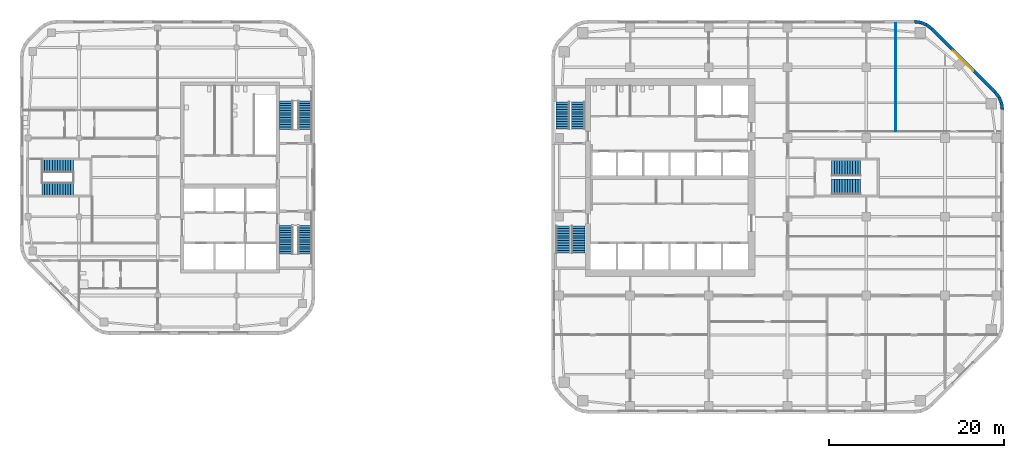
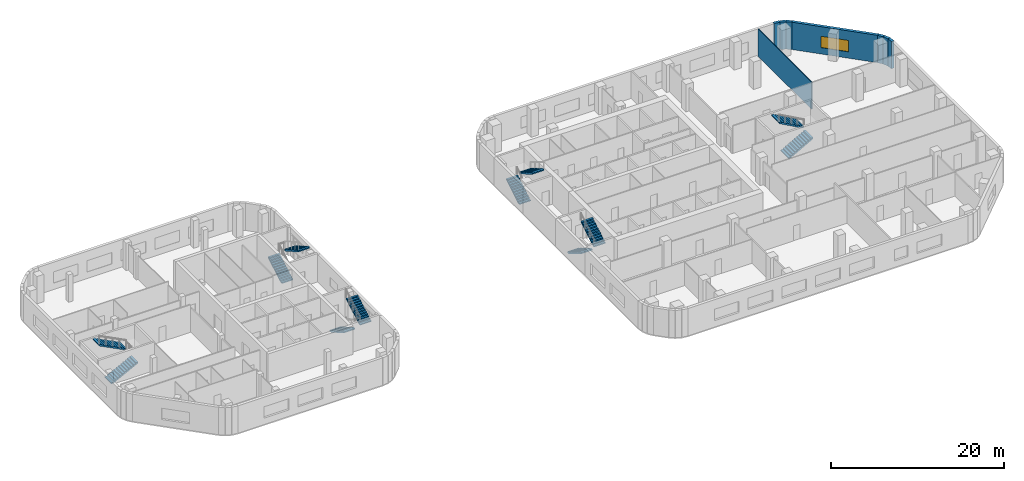
# One storey, part 11 of 14: 12 stair flights, 8 walls, 1 window, 1 opening, 6 elements without a shape of their own.
"""IFC4 building model written with IfcOpenShell, lengths in metres."""

import ifcopenshell
import ifcopenshell.guid

model = None  # the IFC model being written
_history = None  # IfcOwnerHistory: only IFC2X3 demands one
_inside = {}  # id of a spatial element -> (the spatial element, [elements in it])
_under = {}  # id of a project, library or spatial element -> (it, [spatial elements below it])
_declared = {}  # id of a project -> (the project, [libraries it declares])
_typed = {}  # id of a type object -> (the type object, [elements of that type])
_made_of = {}  # id of a material, layer set ... -> (it, [elements and type objects made of it])


def new_model(schema):
    """Start an empty IFC model of exactly this schema.

    Asked for "IFC4X3", IfcOpenShell would pick the latest addendum, in which some entities
    have other attributes; the version numbers below select the first issue.
    IFC2X3 requires an IfcOwnerHistory on every rooted entity: one is made here for all.
    """
    global model, _history
    if schema == "IFC4X3":
        model = ifcopenshell.file(schema_version=(4, 3, 0, 0))
    else:
        model = ifcopenshell.file(schema=schema)
    _inside.clear()
    _under.clear()
    _declared.clear()
    _typed.clear()
    _made_of.clear()
    _history = None
    if model.schema == "IFC2X3":
        org = make("IfcOrganization", Name="unknown")
        user = make(
            "IfcPersonAndOrganization",
            ThePerson=make("IfcPerson", FamilyName="unknown"),
            TheOrganization=org,
        )
        app = make(
            "IfcApplication",
            ApplicationDeveloper=org,
            Version="unknown",
            ApplicationFullName="unknown",
            ApplicationIdentifier="unknown",
        )
        _history = make(
            "IfcOwnerHistory",
            OwningUser=user,
            OwningApplication=app,
            ChangeAction="ADDED",
            CreationDate=0,
        )
    return model


def make(cls, **values):
    """One entity of the class cls with the attributes given. An attribute that is None is left unset."""
    return model.create_entity(
        cls, **{name: value for name, value in values.items() if value is not None}
    )


def rooted(cls, **values):
    """An entity with a GlobalId (a new one), such as an element, a storey or a relation."""
    return make(cls, GlobalId=ifcopenshell.guid.new(), OwnerHistory=_history, **values)


def si_unit(unit_type, name, prefix=None):
    """IfcSIUnit, for example si_unit("LENGTHUNIT", "METRE", prefix="MILLI")."""
    return make("IfcSIUnit", UnitType=unit_type, Prefix=prefix, Name=name)


def assignment(units):
    """IfcUnitAssignment: the units of a project."""
    return None if units is None else make("IfcUnitAssignment", Units=units)


def point(xyz):
    """IfcCartesianPoint."""
    return None if xyz is None else make("IfcCartesianPoint", Coordinates=xyz)


def direction(xyz):
    """IfcDirection."""
    return None if xyz is None else make("IfcDirection", DirectionRatios=xyz)


def frame(location, z_axis=None, x_axis=None):
    """IfcAxis2Placement3D, a coordinate frame: its origin and axes. An axis left out is left unset."""
    return make(
        "IfcAxis2Placement3D",
        Location=point(location),
        Axis=direction(z_axis),
        RefDirection=direction(x_axis),
    )


def frame_2d(location, x_axis=None):
    """IfcAxis2Placement2D, a coordinate frame in the plane: its origin and x axis."""
    return make(
        "IfcAxis2Placement2D", Location=point(location), RefDirection=direction(x_axis)
    )


def origin():
    """The frame at (0, 0, 0) with its axes left unset."""
    return frame((0.0, 0.0, 0.0))


def place(relative_to, where):
    """IfcLocalPlacement: puts the frame where relative to a parent placement (None: the world)."""
    return make(
        "IfcLocalPlacement", PlacementRelTo=relative_to, RelativePlacement=where
    )


def context(
    kind, dimensions, precision=None, world=None, true_north=None, identifier=None
):
    """IfcGeometricRepresentationContext, for example the 3D "Model" context."""
    return make(
        "IfcGeometricRepresentationContext",
        ContextIdentifier=identifier,
        ContextType=kind,
        CoordinateSpaceDimension=dimensions,
        Precision=precision,
        WorldCoordinateSystem=world,
        TrueNorth=true_north,
    )


def subcontext(parent, identifier, kind, view, scale=None):
    """IfcGeometricRepresentationSubContext, for example "Body" below "Model"."""
    return make(
        "IfcGeometricRepresentationSubContext",
        ContextIdentifier=identifier,
        ContextType=kind,
        ParentContext=parent,
        TargetScale=scale,
        TargetView=view,
    )


def project(units=None, contexts=None):
    """IfcProject with its units and contexts."""
    return rooted(
        "IfcProject",
        Name="project",
        RepresentationContexts=contexts,
        UnitsInContext=assignment(units),
    )


def spatial(cls, under=None, at=None, **own):
    """A site, building, storey or space (cls), placed at a placement, below another one or the project."""
    s = rooted(cls, ObjectPlacement=at, **own)
    if under is not None:
        _under.setdefault(under.id(), (under, []))[1].append(s)
    return s


def polyline(points):
    """IfcPolyline through the points."""
    return make("IfcPolyline", Points=[point(p) for p in points])


def profile(cls, at=None, kind="AREA", **sizes):
    """A parametric profile (cls). Its sizes go by their IFC names, for example OverallWidth=200.0."""
    return make(cls, ProfileType=kind, Position=at, **sizes)


def rectangle(**sizes):
    """IfcRectangleProfileDef."""
    return profile("IfcRectangleProfileDef", **sizes)


def outline(outer, holes=None, kind="AREA"):
    """IfcArbitraryClosedProfileDef: a profile drawn as a closed curve; with holes, ...WithVoids."""
    if holes is None:
        return make("IfcArbitraryClosedProfileDef", ProfileType=kind, OuterCurve=outer)
    return make(
        "IfcArbitraryProfileDefWithVoids",
        ProfileType=kind,
        OuterCurve=outer,
        InnerCurves=holes,
    )


def extrude(swept, where, along, depth):
    """IfcExtrudedAreaSolid: the profile swept, set in the frame where, extruded along a direction by depth."""
    return make(
        "IfcExtrudedAreaSolid",
        SweptArea=swept,
        Position=where,
        ExtrudedDirection=direction(along),
        Depth=depth,
    )


def shape(context_of_items, identifier, shape_type, items):
    """IfcShapeRepresentation: the items that make up one representation, for example the "Body"."""
    return make(
        "IfcShapeRepresentation",
        ContextOfItems=context_of_items,
        RepresentationIdentifier=identifier,
        RepresentationType=shape_type,
        Items=items,
    )


def material(Name=None, Category=None):
    """IfcMaterial."""
    return make("IfcMaterial", Name=Name, Category=Category)


def layer(
    of_material, thickness, ventilated=None, Name=None, Category=None, Priority=None
):
    """IfcMaterialLayer: one layer of a wall or slab, of a material (None: an air gap)."""
    return make(
        "IfcMaterialLayer",
        Material=of_material,
        LayerThickness=thickness,
        IsVentilated=ventilated,
        Name=Name,
        Category=Category,
        Priority=Priority,
    )


def layer_set(layers, Name=None):
    """IfcMaterialLayerSet."""
    return make("IfcMaterialLayerSet", MaterialLayers=layers, LayerSetName=Name)


def made_of(thing, what):
    """Note that an element or type object is made of a material, layer set ...; save() writes the relation."""
    if what is not None:
        _made_of.setdefault(what.id(), (what, []))[1].append(thing)
    return thing


def type_object(cls, material=None, **own):
    """A type object (cls), such as IfcWallType, which elements share."""
    return made_of(rooted(cls, **own), material)


def element(
    cls,
    number,
    at=None,
    inside=None,
    cuts=None,
    type_object=None,
    material=None,
    context=None,
    identifier="Body",
    shape_type=None,
    held_by="IfcProductDefinitionShape",
    body=None,
    shapes=None,
    **own,
):
    """One element of the class cls, such as IfcWall. Its Tag is "e" and its number.

    at: its placement. inside: the storey or other place that contains it. cuts: it is an
    opening in that element (IfcRelVoidsElement). A single representation is given by context,
    identifier, shape_type and body (its items); several are given by shapes. held_by: the class
    of the entity that holds the representations. save() writes the other relations.
    """
    e = rooted(cls, Tag="e%d" % number, ObjectPlacement=at, **own)
    if body is not None:
        shapes = [shape(context, identifier, shape_type, body)]
    if shapes is not None:
        e.Representation = make(held_by, Representations=shapes)
    if inside is not None:
        _inside.setdefault(inside.id(), (inside, []))[1].append(e)
    if cuts is not None:
        rooted(
            "IfcRelVoidsElement", RelatingBuildingElement=cuts, RelatedOpeningElement=e
        )
    if type_object is not None:
        _typed.setdefault(type_object.id(), (type_object, []))[1].append(e)
    return made_of(e, material)


def fill(opening, filler):
    """IfcRelFillsElement: the door or window that sits in an opening."""
    return rooted(
        "IfcRelFillsElement",
        RelatingOpeningElement=opening,
        RelatedBuildingElement=filler,
    )


def aggregate(whole, parts):
    """IfcRelAggregates: a whole, such as a stair, and the parts it consists of."""
    return rooted("IfcRelAggregates", RelatingObject=whole, RelatedObjects=parts)


def save(model, path):
    """Write the relations noted so far, then the file.

    IfcRelAggregates (storeys below a building ...), IfcRelContainedInSpatialStructure (elements
    in a storey), IfcRelDefinesByType, IfcRelAssociatesMaterial and IfcRelDeclares: one each for
    every whole, place, type object, material and project.
    """
    for whole, parts in _under.values():
        aggregate(whole, parts)
    for where, things in _inside.values():
        rooted(
            "IfcRelContainedInSpatialStructure",
            RelatedElements=things,
            RelatingStructure=where,
        )
    for kind, things in _typed.values():
        rooted("IfcRelDefinesByType", RelatedObjects=things, RelatingType=kind)
    for what, things in _made_of.values():
        rooted("IfcRelAssociatesMaterial", RelatedObjects=things, RelatingMaterial=what)
    for by, libraries in _declared.values():
        rooted("IfcRelDeclares", RelatingContext=by, RelatedDefinitions=libraries)
    model.write(path)


model = new_model("IFC4")

# Units and contexts
model_context = context("Model", 3, precision=1e-05, world=origin(), true_north=direction((0.0, 1.0)))
body_context = subcontext(model_context, "Body", "Model", "MODEL_VIEW")
ifc_project = project(units=[si_unit("LENGTHUNIT", "METRE"), si_unit("AREAUNIT", "SQUARE_METRE"), si_unit("VOLUMEUNIT", "CUBIC_METRE"), si_unit("PLANEANGLEUNIT", "RADIAN"), si_unit("MASSUNIT", "GRAM", prefix="KILO")], contexts=[model_context])

# Site, building, storey
site_placement = place(None, origin())
site = spatial("IfcSite", under=ifc_project, at=site_placement, CompositionType="ELEMENT")
building_placement = place(site_placement, origin())
building = spatial("IfcBuilding", under=site, at=building_placement, Name="Cinnabar Reach Civic Tower", CompositionType="ELEMENT")
storey_placement = place(building_placement, frame((0.0, 0.0, 104.0)))
storey = spatial("IfcBuildingStorey", under=building, at=storey_placement, Name="L24", CompositionType="ELEMENT", Elevation=104.0)

# Walls
ifc_material_1 = material(Name="Facing brick with insulated backing", Category="masonry")
ifc_layer_1 = layer(ifc_material_1, 0.36)
ifc_layer_set_1 = layer_set([ifc_layer_1], Name="Brick corner wall")
wall_type_1 = type_object("IfcWallType", Name="Brick corner wall", PredefinedType="STANDARD", material=ifc_layer_set_1)
for number, where, z_axis, x_axis, name in (
    (1, (51.567, 39.2686, 0.0), (0.0, 0.0, 1.0), (-0.13055608231, 0.99144092581, 0.0), "Brick corner wall"),
    (2, (51.4681, 39.9973, 0.0), (0.0, 0.0, 1.0), (-0.382702709855, 0.923871547278, 0.0), "Brick corner wall"),
):
    element("IfcWall", number, at=place(storey_placement, frame(where, z_axis=z_axis, x_axis=x_axis)), inside=storey, type_object=wall_type_1, Name=name, PredefinedType="STANDARD", context=body_context, shape_type="SweptSolid", body=[
        extrude(rectangle(XDim=0.7131, YDim=0.36, at=frame_2d((0.3565, 0.0))), origin(), (0.0, 0.0, 1.0), 3.85),
    ])
for number, where, z_axis, x_axis, name in (
    (3, (51.184, 40.6755, 0.0), (0.0, 0.0, 1.0), (-0.608802368033, 0.793321924995, 0.0), "Brick corner wall"),
    (4, (43.4913, 48.4998, 0.0), (0.0, 0.0, 1.0), (-0.793321924995, 0.608802368033, 0.0), "Brick corner wall"),
):
    element("IfcWall", number, at=place(storey_placement, frame(where, z_axis=z_axis, x_axis=x_axis)), inside=storey, type_object=wall_type_1, Name=name, PredefinedType="STANDARD", context=body_context, shape_type="SweptSolid", body=[
        extrude(rectangle(XDim=0.7132, YDim=0.36, at=frame_2d((0.3566, 0.0))), origin(), (0.0, 0.0, 1.0), 3.85),
    ])
for number, where, z_axis, x_axis, name in (
    (5, (42.9061, 48.9452, 0.0), (0.0, 0.0, 1.0), (-0.923871547278, 0.382702709855, 0.0), "Brick corner wall"),
    (6, (42.2256, 49.2239, 0.0), (0.0, 0.0, 1.0), (-0.99144092581, 0.13055608231, 0.0), "Brick corner wall"),
):
    element("IfcWall", number, at=place(storey_placement, frame(where, z_axis=z_axis, x_axis=x_axis)), inside=storey, type_object=wall_type_1, Name=name, PredefinedType="STANDARD", context=body_context, shape_type="SweptSolid", body=[
        extrude(rectangle(XDim=0.7131, YDim=0.36, at=frame_2d((0.3565, 0.0))), origin(), (0.0, 0.0, 1.0), 3.85),
    ])

# Wall, opening, window
ifc_layer_2 = layer(ifc_material_1, 0.36)
ifc_layer_set_2 = layer_set([ifc_layer_2], Name="Brick pier and spandrel wall")
wall_type_2 = type_object("IfcWallType", Name="Brick pier and spandrel wall", PredefinedType="STANDARD", material=ifc_layer_set_2)
wall_1_placement = place(storey_placement, frame((50.744, 41.2514, 0.0), z_axis=(0.0, 0.0, 1.0), x_axis=(-0.707106781187, 0.707106781187, 0.0)))
wall_1 = element("IfcWall", 7, at=wall_1_placement, inside=storey, type_object=wall_type_2, Name="Brick facade wall", PredefinedType="STANDARD", context=body_context, shape_type="SweptSolid", body=[
    extrude(rectangle(XDim=10.2426, YDim=0.36, at=frame_2d((5.1213, 0.0))), origin(), (0.0, 0.0, 1.0), 3.85),
])
opening_placement = place(wall_1_placement, frame((3.4713, 0.0, 0.9)))
opening = element("IfcOpeningElement", 8, at=opening_placement, cuts=wall_1, Name="Opening W1513", PredefinedType="OPENING", context=body_context, shape_type="SweptSolid", body=[
    extrude(rectangle(XDim=3.3, YDim=1.6, at=frame_2d((1.65, 0.8))), frame((0.0, 0.19, 0.0), z_axis=(0.0, -1.0, 0.0), x_axis=(1.0, 0.0, 0.0)), (0.0, 0.0, 1.0), 0.38),
])
ifc_material_2 = material(Name="Clear double glazing in aluminium frame", Category="aluminium")
window_type = type_object("IfcWindowType", Name="Deep-set window A", PartitioningType="SINGLE_PANEL", PredefinedType="WINDOW", material=ifc_material_2)
window_placement = place(opening_placement, origin())
window = element("IfcWindow", 9, at=window_placement, inside=storey, type_object=window_type, Name="Window northeast face", OverallHeight=1.6, OverallWidth=3.3, PartitioningType="SINGLE_PANEL", PredefinedType="WINDOW", context=body_context, shape_type="SweptSolid", body=[
    extrude(rectangle(XDim=3.3, YDim=1.6, at=frame_2d((1.65, 0.8))), frame((0.0, 0.13, 0.0), z_axis=(0.0, -1.0, 0.0), x_axis=(1.0, 0.0, 0.0)), (0.0, 0.0, 1.0), 0.06),
])
fill(opening, window)

# Wall
ifc_material_3 = material(Name="Gypsum board on steel studs", Category="steel")
ifc_layer_3 = layer(ifc_material_3, 0.1)
ifc_layer_set_3 = layer_set([ifc_layer_3], Name="Partition wall 100 T1")
wall_type_3 = type_object("IfcWallType", Name="Partition wall 100 T1", PredefinedType="PARTITIONING", material=ifc_layer_set_3)
wall_2_placement = place(storey_placement, frame((39.375, 36.8, 0.0), z_axis=(0.0, 0.0, 1.0), x_axis=(0.0, 1.0, 0.0)))
element("IfcWall", 10, at=wall_2_placement, inside=storey, type_object=wall_type_3, Name="Partition wall 51", PredefinedType="PARTITIONING", context=body_context, shape_type="SweptSolid", body=[
    extrude(rectangle(XDim=12.34, YDim=0.1, at=frame_2d((6.17, 0.0))), origin(), (0.0, 0.0, 1.0), 3.85),
])

# Stair, stair flights
ifc_material_4 = material(Name="Concrete C40/50", Category="concrete")
stair_type_1 = type_object("IfcStairType", Name="T1 Exit stair, half-turn", PredefinedType="HALF_TURN_STAIR", material=ifc_material_4)
stair_1_placement = place(storey_placement, origin())
stair_1 = element("IfcStair", 11, at=stair_1_placement, inside=storey, type_object=stair_type_1, Name="Stair T1-S1", PredefinedType="HALF_TURN_STAIR")
stair_flight_type_1 = type_object("IfcStairFlightType", Name="T1 Stair flight, concrete", PredefinedType="STRAIGHT", material=ifc_material_4)
stair_flight_1_placement = place(storey_placement, frame((1.3125, 25.95, 0.0), z_axis=(0.0, 0.0, 1.0), x_axis=(0.0, -1.0, 0.0)))
stair_flight_1 = element("IfcStairFlight", 12, at=stair_flight_1_placement, type_object=stair_flight_type_1, Name="T1-S1 flight 1", NumberOfRisers=12, NumberOfTreads=11, PredefinedType="STRAIGHT", RiserHeight=0.166666667, TreadLength=0.28, context=body_context, shape_type="SweptSolid", body=[
    extrude(outline(polyline([(0.0, 0.0), (0.0, 0.1667), (0.28, 0.1667), (0.28, 0.3333), (0.56, 0.3333), (0.56, 0.5), (0.84, 0.5), (0.84, 0.6667), (1.12, 0.6667), (1.12, 0.8333), (1.4, 0.8333), (1.4, 1.0), (1.68, 1.0), (1.68, 1.1667), (1.96, 1.1667), (1.96, 1.3333), (2.24, 1.3333), (2.24, 1.5), (2.52, 1.5), (2.52, 1.6667), (2.8, 1.6667), (2.8, 1.8333), (3.08, 1.8333), (3.08, 2.0), (3.08, 1.6588), (0.2933, 0.0), (0.0, 0.0)])), frame((0.0, 0.7625, 0.0), z_axis=(0.0, -1.0, 0.0), x_axis=(1.0, 0.0, 0.0)), (0.0, 0.0, 1.0), 1.525),
])
stair_flight_2_placement = place(storey_placement, frame((3.0875, 22.87, 2.0), z_axis=(0.0, 0.0, 1.0), x_axis=(0.0, 1.0, 0.0)))
stair_flight_2 = element("IfcStairFlight", 13, at=stair_flight_2_placement, type_object=stair_flight_type_1, Name="T1-S1 flight 2", NumberOfRisers=12, NumberOfTreads=11, PredefinedType="STRAIGHT", RiserHeight=0.166666667, TreadLength=0.28, context=body_context, shape_type="SweptSolid", body=[
    extrude(outline(polyline([(0.0, 0.0), (0.0, 0.1667), (0.28, 0.1667), (0.28, 0.3333), (0.56, 0.3333), (0.56, 0.5), (0.84, 0.5), (0.84, 0.6667), (1.12, 0.6667), (1.12, 0.8333), (1.4, 0.8333), (1.4, 1.0), (1.68, 1.0), (1.68, 1.1667), (1.96, 1.1667), (1.96, 1.3333), (2.24, 1.3333), (2.24, 1.5), (2.52, 1.5), (2.52, 1.6667), (2.8, 1.6667), (2.8, 1.8333), (3.08, 1.8333), (3.08, 2.0), (3.08, 1.6588), (0.2933, 0.0), (0.0, 0.0)])), frame((0.0, 0.7625, 0.0), z_axis=(0.0, -1.0, 0.0), x_axis=(1.0, 0.0, 0.0)), (0.0, 0.0, 1.0), 1.525),
])
aggregate(stair_1, [stair_flight_1, stair_flight_2])

stair_2_placement = place(storey_placement, origin())
stair_2 = element("IfcStair", 14, at=stair_2_placement, inside=storey, type_object=stair_type_1, Name="Stair T1-S2", PredefinedType="HALF_TURN_STAIR")
stair_flight_3_placement = place(storey_placement, frame((1.3125, 37.05, 0.0), z_axis=(0.0, 0.0, 1.0), x_axis=(0.0, 1.0, 0.0)))
stair_flight_3 = element("IfcStairFlight", 15, at=stair_flight_3_placement, type_object=stair_flight_type_1, Name="T1-S2 flight 1", NumberOfRisers=12, NumberOfTreads=11, PredefinedType="STRAIGHT", RiserHeight=0.166666667, TreadLength=0.28, context=body_context, shape_type="SweptSolid", body=[
    extrude(outline(polyline([(0.0, 0.0), (0.0, 0.1667), (0.28, 0.1667), (0.28, 0.3333), (0.56, 0.3333), (0.56, 0.5), (0.84, 0.5), (0.84, 0.6667), (1.12, 0.6667), (1.12, 0.8333), (1.4, 0.8333), (1.4, 1.0), (1.68, 1.0), (1.68, 1.1667), (1.96, 1.1667), (1.96, 1.3333), (2.24, 1.3333), (2.24, 1.5), (2.52, 1.5), (2.52, 1.6667), (2.8, 1.6667), (2.8, 1.8333), (3.08, 1.8333), (3.08, 2.0), (3.08, 1.6588), (0.2933, 0.0), (0.0, 0.0)])), frame((0.0, 0.7625, 0.0), z_axis=(0.0, -1.0, 0.0), x_axis=(1.0, 0.0, 0.0)), (0.0, 0.0, 1.0), 1.525),
])
stair_flight_4_placement = place(storey_placement, frame((3.0875, 40.13, 2.0), z_axis=(0.0, 0.0, 1.0), x_axis=(0.0, -1.0, 0.0)))
stair_flight_4 = element("IfcStairFlight", 16, at=stair_flight_4_placement, type_object=stair_flight_type_1, Name="T1-S2 flight 2", NumberOfRisers=12, NumberOfTreads=11, PredefinedType="STRAIGHT", RiserHeight=0.166666667, TreadLength=0.28, context=body_context, shape_type="SweptSolid", body=[
    extrude(outline(polyline([(0.0, 0.0), (0.0, 0.1667), (0.28, 0.1667), (0.28, 0.3333), (0.56, 0.3333), (0.56, 0.5), (0.84, 0.5), (0.84, 0.6667), (1.12, 0.6667), (1.12, 0.8333), (1.4, 0.8333), (1.4, 1.0), (1.68, 1.0), (1.68, 1.1667), (1.96, 1.1667), (1.96, 1.3333), (2.24, 1.3333), (2.24, 1.5), (2.52, 1.5), (2.52, 1.6667), (2.8, 1.6667), (2.8, 1.8333), (3.08, 1.8333), (3.08, 2.0), (3.08, 1.6588), (0.2933, 0.0), (0.0, 0.0)])), frame((0.0, 0.7625, 0.0), z_axis=(0.0, -1.0, 0.0), x_axis=(1.0, 0.0, 0.0)), (0.0, 0.0, 1.0), 1.525),
])
aggregate(stair_2, [stair_flight_3, stair_flight_4])

stair_3_placement = place(storey_placement, origin())
stair_3 = element("IfcStair", 17, at=stair_3_placement, inside=storey, type_object=stair_type_1, Name="Stair T1-S3", PredefinedType="HALF_TURN_STAIR")
stair_flight_5_placement = place(storey_placement, frame((32.05, 30.45, 0.0), z_axis=(0.0, 0.0, 1.0), x_axis=(1.0, 0.0, 0.0)))
stair_flight_5 = element("IfcStairFlight", 18, at=stair_flight_5_placement, type_object=stair_flight_type_1, Name="T1-S3 flight 1", NumberOfRisers=12, NumberOfTreads=11, PredefinedType="STRAIGHT", RiserHeight=0.166666667, TreadLength=0.3, context=body_context, shape_type="SweptSolid", body=[
    extrude(outline(polyline([(0.0, 0.0), (0.0, 0.1667), (0.3, 0.1667), (0.3, 0.3333), (0.6, 0.3333), (0.6, 0.5), (0.9, 0.5), (0.9, 0.6667), (1.2, 0.6667), (1.2, 0.8333), (1.5, 0.8333), (1.5, 1.0), (1.8, 1.0), (1.8, 1.1667), (2.1, 1.1667), (2.1, 1.3333), (2.4, 1.3333), (2.4, 1.5), (2.7, 1.5), (2.7, 1.6667), (3.0, 1.6667), (3.0, 1.8333), (3.3, 1.8333), (3.3, 2.0), (3.3, 1.6617), (0.3089, 0.0), (0.0, 0.0)])), frame((0.0, 0.9, 0.0), z_axis=(0.0, -1.0, 0.0), x_axis=(1.0, 0.0, 0.0)), (0.0, 0.0, 1.0), 1.8),
])
stair_flight_6_placement = place(storey_placement, frame((35.35, 32.55, 2.0), z_axis=(0.0, 0.0, 1.0), x_axis=(-1.0, 0.0, 0.0)))
stair_flight_6 = element("IfcStairFlight", 19, at=stair_flight_6_placement, type_object=stair_flight_type_1, Name="T1-S3 flight 2", NumberOfRisers=12, NumberOfTreads=11, PredefinedType="STRAIGHT", RiserHeight=0.166666667, TreadLength=0.3, context=body_context, shape_type="SweptSolid", body=[
    extrude(outline(polyline([(0.0, 0.0), (0.0, 0.1667), (0.3, 0.1667), (0.3, 0.3333), (0.6, 0.3333), (0.6, 0.5), (0.9, 0.5), (0.9, 0.6667), (1.2, 0.6667), (1.2, 0.8333), (1.5, 0.8333), (1.5, 1.0), (1.8, 1.0), (1.8, 1.1667), (2.1, 1.1667), (2.1, 1.3333), (2.4, 1.3333), (2.4, 1.5), (2.7, 1.5), (2.7, 1.6667), (3.0, 1.6667), (3.0, 1.8333), (3.3, 1.8333), (3.3, 2.0), (3.3, 1.6617), (0.3089, 0.0), (0.0, 0.0)])), frame((0.0, 0.9, 0.0), z_axis=(0.0, -1.0, 0.0), x_axis=(1.0, 0.0, 0.0)), (0.0, 0.0, 1.0), 1.8),
])
aggregate(stair_3, [stair_flight_5, stair_flight_6])

ifc_material_5 = material(Name="Concrete C40", Category="concrete")
stair_type_2 = type_object("IfcStairType", Name="T2 Exit stair 1500", PredefinedType="HALF_TURN_STAIR", material=ifc_material_5)
stair_4_placement = place(storey_placement, origin())
stair_4 = element("IfcStair", 20, at=stair_4_placement, inside=storey, type_object=stair_type_2, Name="Exit stair 1", PredefinedType="HALF_TURN_STAIR")
stair_flight_type_2 = type_object("IfcStairFlightType", Name="T2 Stair flight 1500", PredefinedType="STRAIGHT", material=ifc_material_5)
stair_flight_7_placement = place(storey_placement, frame((-30.35, 26.0, 0.0), z_axis=(0.0, 0.0, 1.0), x_axis=(0.0, -1.0, 0.0)))
stair_flight_7 = element("IfcStairFlight", 21, at=stair_flight_7_placement, type_object=stair_flight_type_2, Name="ST1 flight 1", NumberOfRisers=13, NumberOfTreads=12, PredefinedType="STRAIGHT", RiserHeight=0.153846154, TreadLength=0.270833333, context=body_context, shape_type="SweptSolid", body=[
    extrude(outline(polyline([(0.0, 0.0), (0.0, 0.1538), (0.2708, 0.1538), (0.2708, 0.3077), (0.5417, 0.3077), (0.5417, 0.4615), (0.8125, 0.4615), (0.8125, 0.6154), (1.0833, 0.6154), (1.0833, 0.7692), (1.3542, 0.7692), (1.3542, 0.9231), (1.625, 0.9231), (1.625, 1.0769), (1.8958, 1.0769), (1.8958, 1.2308), (2.1667, 1.2308), (2.1667, 1.3846), (2.4375, 1.3846), (2.4375, 1.5385), (2.7083, 1.5385), (2.7083, 1.6923), (2.9792, 1.6923), (2.9792, 1.8462), (3.25, 1.8462), (3.25, 2.0), (3.25, 1.6736), (0.3037, 0.0), (0.0, 0.0)])), frame((0.0, 0.75, 0.0), z_axis=(0.0, -1.0, 0.0), x_axis=(1.0, 0.0, 0.0)), (0.0, 0.0, 1.0), 1.5),
])
stair_flight_8_placement = place(storey_placement, frame((-28.15, 22.75, 2.0), z_axis=(0.0, 0.0, 1.0), x_axis=(0.0, 1.0, 0.0)))
stair_flight_8 = element("IfcStairFlight", 22, at=stair_flight_8_placement, type_object=stair_flight_type_2, Name="ST1 flight 2", NumberOfRisers=13, NumberOfTreads=12, PredefinedType="STRAIGHT", RiserHeight=0.153846154, TreadLength=0.270833333, context=body_context, shape_type="SweptSolid", body=[
    extrude(outline(polyline([(0.0, 0.0), (0.0, 0.1538), (0.2708, 0.1538), (0.2708, 0.3077), (0.5417, 0.3077), (0.5417, 0.4615), (0.8125, 0.4615), (0.8125, 0.6154), (1.0833, 0.6154), (1.0833, 0.7692), (1.3542, 0.7692), (1.3542, 0.9231), (1.625, 0.9231), (1.625, 1.0769), (1.8958, 1.0769), (1.8958, 1.2308), (2.1667, 1.2308), (2.1667, 1.3846), (2.4375, 1.3846), (2.4375, 1.5385), (2.7083, 1.5385), (2.7083, 1.6923), (2.9792, 1.6923), (2.9792, 1.8462), (3.25, 1.8462), (3.25, 2.0), (3.25, 1.6736), (0.3037, 0.0), (0.0, 0.0)])), frame((0.0, 0.75, 0.0), z_axis=(0.0, -1.0, 0.0), x_axis=(1.0, 0.0, 0.0)), (0.0, 0.0, 1.0), 1.5),
])
aggregate(stair_4, [stair_flight_7, stair_flight_8])

stair_5_placement = place(storey_placement, origin())
stair_5 = element("IfcStair", 23, at=stair_5_placement, inside=storey, type_object=stair_type_2, Name="Exit stair 2", PredefinedType="HALF_TURN_STAIR")
stair_flight_9_placement = place(storey_placement, frame((-30.35, 37.0, 0.0), z_axis=(0.0, 0.0, 1.0), x_axis=(0.0, 1.0, 0.0)))
stair_flight_9 = element("IfcStairFlight", 24, at=stair_flight_9_placement, type_object=stair_flight_type_2, Name="ST2 flight 1", NumberOfRisers=13, NumberOfTreads=12, PredefinedType="STRAIGHT", RiserHeight=0.153846154, TreadLength=0.270833333, context=body_context, shape_type="SweptSolid", body=[
    extrude(outline(polyline([(0.0, 0.0), (0.0, 0.1538), (0.2708, 0.1538), (0.2708, 0.3077), (0.5417, 0.3077), (0.5417, 0.4615), (0.8125, 0.4615), (0.8125, 0.6154), (1.0833, 0.6154), (1.0833, 0.7692), (1.3542, 0.7692), (1.3542, 0.9231), (1.625, 0.9231), (1.625, 1.0769), (1.8958, 1.0769), (1.8958, 1.2308), (2.1667, 1.2308), (2.1667, 1.3846), (2.4375, 1.3846), (2.4375, 1.5385), (2.7083, 1.5385), (2.7083, 1.6923), (2.9792, 1.6923), (2.9792, 1.8462), (3.25, 1.8462), (3.25, 2.0), (3.25, 1.6736), (0.3037, 0.0), (0.0, 0.0)])), frame((0.0, 0.75, 0.0), z_axis=(0.0, -1.0, 0.0), x_axis=(1.0, 0.0, 0.0)), (0.0, 0.0, 1.0), 1.5),
])
stair_flight_10_placement = place(storey_placement, frame((-28.15, 40.25, 2.0), z_axis=(0.0, 0.0, 1.0), x_axis=(0.0, -1.0, 0.0)))
stair_flight_10 = element("IfcStairFlight", 25, at=stair_flight_10_placement, type_object=stair_flight_type_2, Name="ST2 flight 2", NumberOfRisers=13, NumberOfTreads=12, PredefinedType="STRAIGHT", RiserHeight=0.153846154, TreadLength=0.270833333, context=body_context, shape_type="SweptSolid", body=[
    extrude(outline(polyline([(0.0, 0.0), (0.0, 0.1538), (0.2708, 0.1538), (0.2708, 0.3077), (0.5417, 0.3077), (0.5417, 0.4615), (0.8125, 0.4615), (0.8125, 0.6154), (1.0833, 0.6154), (1.0833, 0.7692), (1.3542, 0.7692), (1.3542, 0.9231), (1.625, 0.9231), (1.625, 1.0769), (1.8958, 1.0769), (1.8958, 1.2308), (2.1667, 1.2308), (2.1667, 1.3846), (2.4375, 1.3846), (2.4375, 1.5385), (2.7083, 1.5385), (2.7083, 1.6923), (2.9792, 1.6923), (2.9792, 1.8462), (3.25, 1.8462), (3.25, 2.0), (3.25, 1.6736), (0.3037, 0.0), (0.0, 0.0)])), frame((0.0, 0.75, 0.0), z_axis=(0.0, -1.0, 0.0), x_axis=(1.0, 0.0, 0.0)), (0.0, 0.0, 1.0), 1.5),
])
aggregate(stair_5, [stair_flight_9, stair_flight_10])

stair_6_placement = place(storey_placement, origin())
stair_6 = element("IfcStair", 26, at=stair_6_placement, inside=storey, type_object=stair_type_2, Name="Exit stair 3", PredefinedType="HALF_TURN_STAIR")
stair_flight_11_placement = place(storey_placement, frame((-58.25, 30.125, 0.0), z_axis=(0.0, 0.0, 1.0), x_axis=(1.0, 0.0, 0.0)))
stair_flight_11 = element("IfcStairFlight", 27, at=stair_flight_11_placement, type_object=stair_flight_type_2, Name="ST3 flight 1", NumberOfRisers=13, NumberOfTreads=12, PredefinedType="STRAIGHT", RiserHeight=0.153846154, TreadLength=0.3, context=body_context, shape_type="SweptSolid", body=[
    extrude(outline(polyline([(0.0, 0.0), (0.0, 0.1538), (0.3, 0.1538), (0.3, 0.3077), (0.6, 0.3077), (0.6, 0.4615), (0.9, 0.4615), (0.9, 0.6154), (1.2, 0.6154), (1.2, 0.7692), (1.5, 0.7692), (1.5, 0.9231), (1.8, 0.9231), (1.8, 1.0769), (2.1, 1.0769), (2.1, 1.2308), (2.4, 1.2308), (2.4, 1.3846), (2.7, 1.3846), (2.7, 1.5385), (3.0, 1.5385), (3.0, 1.6923), (3.3, 1.6923), (3.3, 1.8462), (3.6, 1.8462), (3.6, 2.0), (3.6, 1.6776), (0.3287, 0.0), (0.0, 0.0)])), frame((0.0, 0.75, 0.0), z_axis=(0.0, -1.0, 0.0), x_axis=(1.0, 0.0, 0.0)), (0.0, 0.0, 1.0), 1.5),
])
stair_flight_12_placement = place(storey_placement, frame((-54.65, 32.875, 2.0), z_axis=(0.0, 0.0, 1.0), x_axis=(-1.0, 0.0, 0.0)))
stair_flight_12 = element("IfcStairFlight", 28, at=stair_flight_12_placement, type_object=stair_flight_type_2, Name="ST3 flight 2", NumberOfRisers=13, NumberOfTreads=12, PredefinedType="STRAIGHT", RiserHeight=0.153846154, TreadLength=0.3, context=body_context, shape_type="SweptSolid", body=[
    extrude(outline(polyline([(0.0, 0.0), (0.0, 0.1538), (0.3, 0.1538), (0.3, 0.3077), (0.6, 0.3077), (0.6, 0.4615), (0.9, 0.4615), (0.9, 0.6154), (1.2, 0.6154), (1.2, 0.7692), (1.5, 0.7692), (1.5, 0.9231), (1.8, 0.9231), (1.8, 1.0769), (2.1, 1.0769), (2.1, 1.2308), (2.4, 1.2308), (2.4, 1.3846), (2.7, 1.3846), (2.7, 1.5385), (3.0, 1.5385), (3.0, 1.6923), (3.3, 1.6923), (3.3, 1.8462), (3.6, 1.8462), (3.6, 2.0), (3.6, 1.6776), (0.3287, 0.0), (0.0, 0.0)])), frame((0.0, 0.75, 0.0), z_axis=(0.0, -1.0, 0.0), x_axis=(1.0, 0.0, 0.0)), (0.0, 0.0, 1.0), 1.5),
])
aggregate(stair_6, [stair_flight_11, stair_flight_12])

save(model, "model.ifc")
